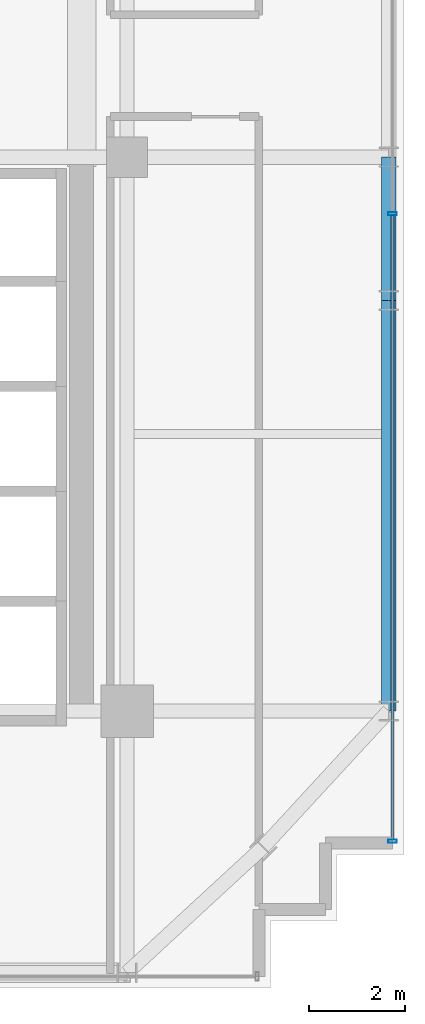
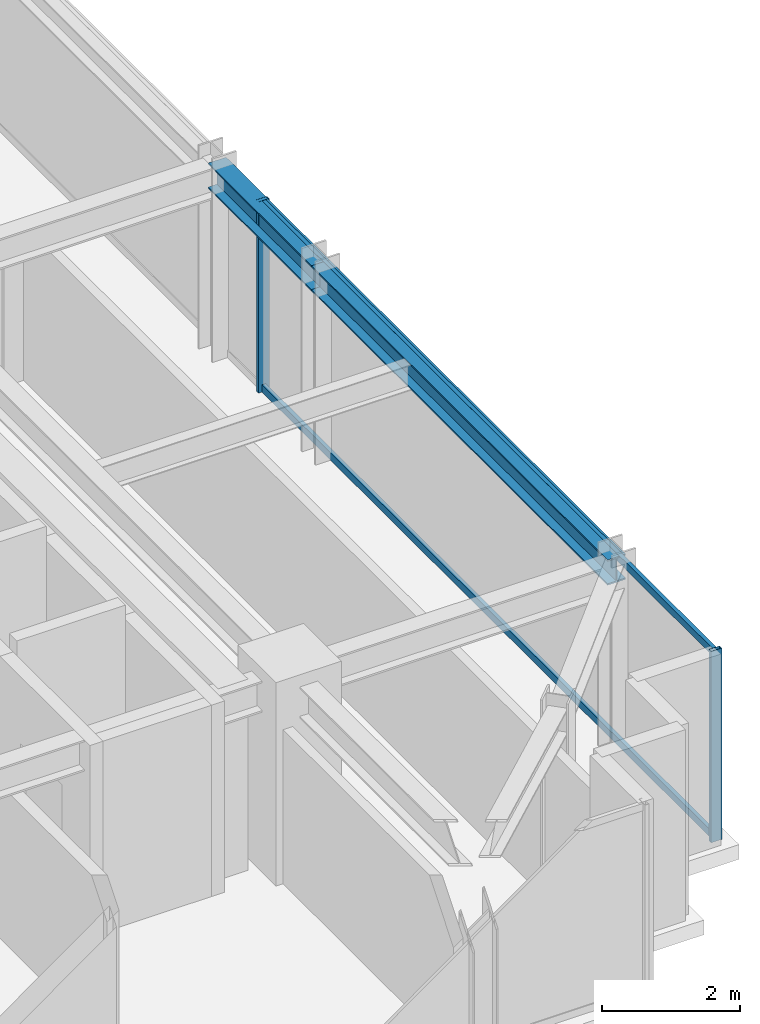
# One storey, part 12 of 32: 4 members, 2 beams, 1 element without a shape of its own.
"""IFC4 building model written with IfcOpenShell, lengths in metres."""

from ifc_helpers import new_model, si_unit, direction, frame, origin, origin_2d, place, context, subcontext, project, spatial, hollow_rectangle, i_section, extrude, source, transform, mapped, material, material_profile, profile_set, type_object, element, aggregate, save


model = new_model("IFC4")

# Units and contexts
model_context = context("Model", 3, precision=1e-05, world=origin(), true_north=direction((0.0, 1.0)))
body_context = subcontext(model_context, "Body", "Model", "MODEL_VIEW")
ifc_project = project(units=[si_unit("LENGTHUNIT", "METRE"), si_unit("AREAUNIT", "SQUARE_METRE"), si_unit("VOLUMEUNIT", "CUBIC_METRE"), si_unit("PLANEANGLEUNIT", "RADIAN"), si_unit("MASSUNIT", "GRAM", prefix="KILO")], contexts=[model_context])

# Site, building, storey
site_placement = place(None, origin())
site = spatial("IfcSite", under=ifc_project, at=site_placement, CompositionType="ELEMENT")
building_placement = place(site_placement, origin())
building = spatial("IfcBuilding", under=site, at=building_placement, Name="Nahalor Promenade Grand Hotel", CompositionType="ELEMENT")
storey_placement = place(building_placement, frame((0.0, 0.0, 152.64990234375)))
storey = spatial("IfcBuildingStorey", under=building, at=storey_placement, Name="L38", CompositionType="ELEMENT", Elevation=152.64990234375)

# Beams
ifc_material_1 = material(Name="Steel S355JR", Category="steel")
ifc_material_profile_1 = material_profile(ifc_material_1, i_section(OverallWidth=0.3, OverallDepth=0.45, WebThickness=0.014, FlangeThickness=0.026, at=origin_2d()), Name="HEB 450")
ifc_profile_set_1 = profile_set([ifc_material_profile_1], Name="Steel S355JR")
beam_type = type_object("IfcBeamType", Name="Beam-Spandrel-HEB450", PredefinedType="SPANDREL", material=ifc_profile_set_1)
shared_shape_1 = source(origin(), body_context, "Body", "SweptSolid", [
    extrude(i_section(OverallWidth=0.3, OverallDepth=0.45, WebThickness=0.014, FlangeThickness=0.026, at=origin_2d()), origin(), (0.0, 0.0, 1.0), 8.60009765625),
])
beam_1_placement = place(storey_placement, frame((22.47998046875, -17.0, 3.1650390625), z_axis=(0.0, 1.0, 0.0), x_axis=(-1.0, 0.0, 0.0)))
element("IfcBeam", 1, at=beam_1_placement, inside=storey, type_object=beam_type, Name="BM-L38-SP-E-0", PredefinedType="SPANDREL", context=body_context, shape_type="MappedRepresentation", body=[
    mapped(shared_shape_1, transform((0.0, 0.0, 0.0), scale=1.0)),
])
shared_shape_2 = source(origin(), body_context, "Body", "SweptSolid", [
    extrude(i_section(OverallWidth=0.3, OverallDepth=0.45, WebThickness=0.014, FlangeThickness=0.026, at=origin_2d()), origin(), (0.0, 0.0, 1.0), 3.0),
])
beam_2_placement = place(storey_placement, frame((22.47998046875, -8.39990234375, 3.1650390625), z_axis=(0.0, 1.0, 0.0), x_axis=(-1.0, 0.0, 0.0)))
element("IfcBeam", 2, at=beam_2_placement, inside=storey, type_object=beam_type, Name="BM-L38-SP-E-1", PredefinedType="SPANDREL", context=body_context, shape_type="MappedRepresentation", body=[
    mapped(shared_shape_2, transform((0.0, 0.0, 0.0), scale=1.0)),
])

# Curtain wall, members
ifc_material_2 = material(Name="Anodised Bronze Aluminium EN AW-6063 T6", Category="aluminium")
curtain_wall_type = type_object("IfcCurtainWallType", Name="CW2 Typical Hotel Flush Bronze Unitised Curtain Wall", PredefinedType="USERDEFINED", material=ifc_material_2)
curtain_wall_placement = place(storey_placement, origin())
curtain_wall = element("IfcCurtainWall", 3, at=curtain_wall_placement, inside=storey, type_object=curtain_wall_type, Name="L38 Curtain Wall CW-L38-E-1", ObjectType="UNITISED_CURTAIN_WALL", PredefinedType="USERDEFINED")
ifc_material_profile_2 = material_profile(ifc_material_2, hollow_rectangle(XDim=0.065, YDim=0.13, WallThickness=0.004, at=origin_2d()), Name="CWT 65x130x4")
ifc_profile_set_2 = profile_set([ifc_material_profile_2], Name="Anodised Bronze Aluminium EN AW-6063 T6")
member_type_1 = type_object("IfcMemberType", Name="CWT2 Typical Bronze Transom 65x130", PredefinedType="USERDEFINED", material=ifc_profile_set_2)
shared_shape_3 = source(origin(), body_context, "Body", "SweptSolid", [
    extrude(hollow_rectangle(XDim=0.065, YDim=0.13, WallThickness=0.004, at=origin_2d()), origin(), (0.0, 0.0, 1.0), 13.075927734375),
])
member_1_placement = place(storey_placement, frame((22.56005859375, -19.695068359375, 0.065185546875), z_axis=(0.0, 1.0, 0.0), x_axis=(-1.0, 0.0, 0.0)))
member_1 = element("IfcMember", 4, at=member_1_placement, type_object=member_type_1, Name="CW-L38-E-1 Transom 0-0", ObjectType="TRANSOM", PredefinedType="USERDEFINED", context=body_context, shape_type="MappedRepresentation", body=[
    mapped(shared_shape_3, transform((0.0, 0.0, 0.0), scale=1.0)),
])
member_2_placement = place(storey_placement, frame((22.56005859375, -19.695068359375, 3.3251953125), z_axis=(0.0, 1.0, 0.0), x_axis=(-1.0, 0.0, 0.0)))
member_2 = element("IfcMember", 5, at=member_2_placement, type_object=member_type_1, Name="CW-L38-E-1 Transom 0-1", ObjectType="TRANSOM", PredefinedType="USERDEFINED", context=body_context, shape_type="MappedRepresentation", body=[
    mapped(shared_shape_3, transform((0.0, 0.0, 0.0), scale=1.0)),
])
ifc_material_profile_3 = material_profile(ifc_material_2, hollow_rectangle(XDim=0.065, YDim=0.18, WallThickness=0.004, at=origin_2d()), Name="CWM 65x180x4")
ifc_profile_set_3 = profile_set([ifc_material_profile_3], Name="Anodised Bronze Aluminium EN AW-6063 T6")
member_type_2 = type_object("IfcMemberType", Name="CWM2 Typical Bronze Mullion 65x180", PredefinedType="MULLION", material=ifc_profile_set_3)
shared_shape_4 = source(origin(), body_context, "Body", "SweptSolid", [
    extrude(hollow_rectangle(XDim=0.065, YDim=0.18, WallThickness=0.004, at=origin_2d()), origin(), (0.0, 0.0, 1.0), 3.39013671875),
])
member_3_placement = place(storey_placement, frame((22.56005859375, -19.7275390625, 0.0), z_axis=(0.0, 0.0, 1.0), x_axis=(0.0, 1.0, 0.0)))
member_3 = element("IfcMember", 6, at=member_3_placement, type_object=member_type_2, Name="CW-L38-E-1 Mullion 0", PredefinedType="MULLION", context=body_context, shape_type="MappedRepresentation", body=[
    mapped(shared_shape_4, transform((0.0, 0.0, 0.0), scale=1.0)),
])
member_4_placement = place(storey_placement, frame((22.56005859375, -6.586669921875, 0.0), z_axis=(0.0, 0.0, 1.0), x_axis=(0.0, 1.0, 0.0)))
member_4 = element("IfcMember", 7, at=member_4_placement, type_object=member_type_2, Name="CW-L38-E-1 Mullion 1", PredefinedType="MULLION", context=body_context, shape_type="MappedRepresentation", body=[
    mapped(shared_shape_4, transform((0.0, 0.0, 0.0), scale=1.0)),
])
aggregate(curtain_wall, [member_3, member_4, member_1, member_2])

save(model, "model.ifc")
